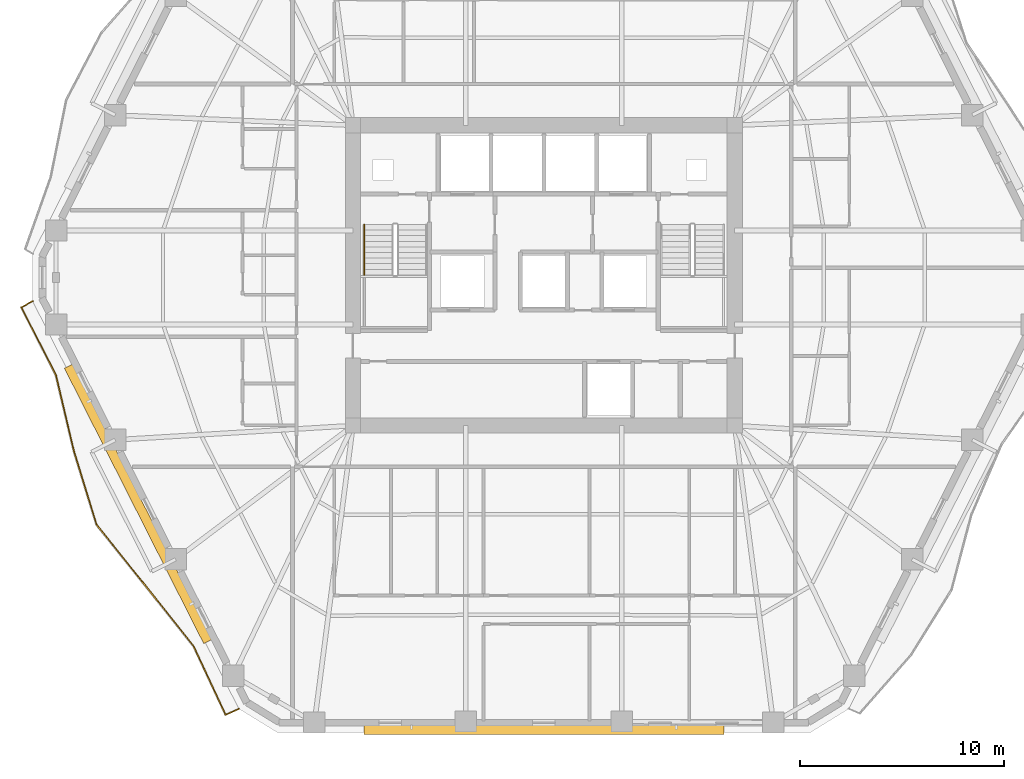
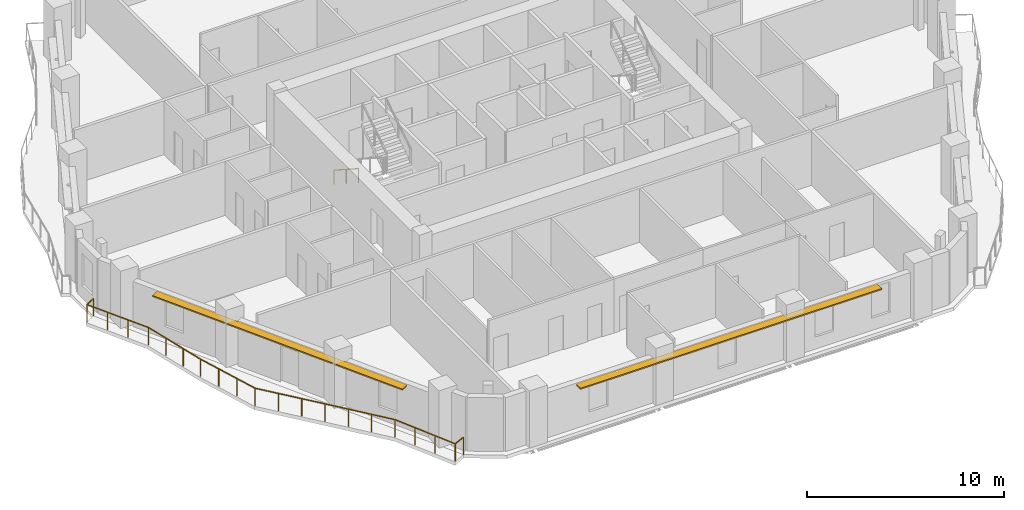
# One storey, part 10 of 12: 2 railings, 2 shading devices.
"""IFC4 building model written with IfcOpenShell, lengths in metres."""

from ifc_helpers import new_model, si_unit, direction, frame, origin, origin_2d, place, context, subcontext, project, spatial, rectangle, extrude, material, layer, layer_set, type_object, element, save


model = new_model("IFC4")

# Units and contexts
model_context = context("Model", 3, precision=1e-05, world=origin(), true_north=direction((0.0, 1.0)))
body_context = subcontext(model_context, "Body", "Model", "MODEL_VIEW")
ifc_project = project(units=[si_unit("LENGTHUNIT", "METRE"), si_unit("AREAUNIT", "SQUARE_METRE"), si_unit("VOLUMEUNIT", "CUBIC_METRE"), si_unit("PLANEANGLEUNIT", "RADIAN"), si_unit("MASSUNIT", "GRAM", prefix="KILO")], contexts=[model_context])

# Site, building, storey
site_placement = place(None, origin())
site = spatial("IfcSite", under=ifc_project, at=site_placement, CompositionType="ELEMENT")
building_placement = place(site_placement, origin())
building = spatial("IfcBuilding", under=site, at=building_placement, Name="Cinnabar Lancet Tower", CompositionType="ELEMENT")
storey_placement = place(building_placement, frame((0.0, 0.0, 123.25)))
storey = spatial("IfcBuildingStorey", under=building, at=storey_placement, Name="L32", CompositionType="ELEMENT", Elevation=123.25)

# Railing
ifc_material_1 = material(Name="Laminated safety glass and bronze stainless steel balustrade", Category="steel")
railing_type_1 = type_object("IfcRailingType", Name="ENV-RLG-BAL-1100", PredefinedType="BALUSTRADE", material=ifc_material_1)
railing_1_placement = place(storey_placement, frame((7.287109375, 24.639892578125, 0.0)))
element("IfcRailing", 1, at=railing_1_placement, inside=storey, type_object=railing_type_1, Name="L32 Face 6 Wave Balcony Balustrade", PredefinedType="BALUSTRADE", context=body_context, shape_type="SweptSolid", body=[
    extrude(rectangle(XDim=0.048095703125, YDim=0.048095703125, at=origin_2d()), frame((0.0, 0.0, 1.076171875), z_axis=(-0.871212564421, -0.490905966144, 0.0), x_axis=(0.490905966144, -0.871212564421, 0.0)), (0.0, 0.0, 1.0), 0.629150390625),
    extrude(rectangle(XDim=0.048095703125, YDim=0.048095703125, at=origin_2d()), frame((-0.548095703125, -0.308837890625, 1.076171875), z_axis=(0.453978704342, -0.891012534145, 0.0), x_axis=(0.891012534145, 0.453978704342, 0.0)), (0.0, 0.0, 1.0), 3.731689453125),
    extrude(rectangle(XDim=0.048095703125, YDim=0.048095703125, at=origin_2d()), frame((1.14599609375, -3.6337890625, 1.076171875), z_axis=(0.230315771584, -0.973115946514, 0.0), x_axis=(0.973115946514, 0.230315771584, 0.0)), (0.0, 0.0, 1.0), 3.83740234375),
    extrude(rectangle(XDim=0.048095703125, YDim=0.048095703125, at=origin_2d()), frame((2.02978515625, -7.367919921875, 1.076171875), z_axis=(0.294353286988, -0.955696679098, 0.0), x_axis=(0.955696679098, 0.294353286988, 0.0)), (0.0, 0.0, 1.0), 3.78466796875),
    extrude(rectangle(XDim=0.048095703125, YDim=0.048095703125, at=origin_2d()), frame((3.143798828125, -10.98486328125, 1.076171875), z_axis=(0.62545242318, -0.780262306111, 0.0), x_axis=(0.780262306111, 0.62545242318, 0.0)), (0.0, 0.0, 1.0), 3.811767578125),
    extrude(rectangle(XDim=0.048095703125, YDim=0.048095703125, at=origin_2d()), frame((5.52783203125, -13.958984375, 1.076171875), z_axis=(0.623256358846, -0.782017590057, 0.0), x_axis=(0.782017590057, 0.623256358846, 0.0)), (0.0, 0.0, 1.0), 3.810546875),
    extrude(rectangle(XDim=0.048095703125, YDim=0.048095703125, at=origin_2d()), frame((7.90283203125, -16.93896484375, 1.076171875), z_axis=(0.423289766363, -0.905994356325, 0.0), x_axis=(0.905994356325, 0.423289766363, 0.0)), (0.0, 0.0, 1.0), 3.735107421875),
    extrude(rectangle(XDim=0.048095703125, YDim=0.048095703125, at=origin_2d()), frame((9.48388671875, -20.322998046875, 1.076171875), z_axis=(0.911523841461, 0.411247232755, 0.0), x_axis=(-0.411247232755, 0.911523841461, 0.0)), (0.0, 0.0, 1.0), 0.712890625),
    extrude(rectangle(XDim=0.0419921875, YDim=0.0419921875, at=origin_2d()), origin(), (0.0, 0.0, 1.0), 1.052001953125),
    extrude(rectangle(XDim=0.0419921875, YDim=0.0419921875, at=origin_2d()), frame((-0.548095703125, -0.308837890625, 0.0)), (0.0, 0.0, 1.0), 1.052001953125),
    extrude(rectangle(XDim=0.0419921875, YDim=0.0419921875, at=origin_2d()), frame((0.0166015625, -1.417236328125, 0.0)), (0.0, 0.0, 1.0), 1.052001953125),
    extrude(rectangle(XDim=0.0419921875, YDim=0.0419921875, at=origin_2d()), frame((0.581298828125, -2.525390625, 0.0)), (0.0, 0.0, 1.0), 1.052001953125),
    extrude(rectangle(XDim=0.0419921875, YDim=0.0419921875, at=origin_2d()), frame((1.14599609375, -3.6337890625, 0.0)), (0.0, 0.0, 1.0), 1.052001953125),
    extrude(rectangle(XDim=0.0419921875, YDim=0.0419921875, at=origin_2d()), frame((1.440673828125, -4.87841796875, 0.0)), (0.0, 0.0, 1.0), 1.052001953125),
    extrude(rectangle(XDim=0.0419921875, YDim=0.0419921875, at=origin_2d()), frame((1.735107421875, -6.123291015625, 0.0)), (0.0, 0.0, 1.0), 1.052001953125),
    extrude(rectangle(XDim=0.0419921875, YDim=0.0419921875, at=origin_2d()), frame((2.02978515625, -7.367919921875, 0.0)), (0.0, 0.0, 1.0), 1.052001953125),
    extrude(rectangle(XDim=0.0419921875, YDim=0.0419921875, at=origin_2d()), frame((2.401123046875, -8.573486328125, 0.0)), (0.0, 0.0, 1.0), 1.052001953125),
    extrude(rectangle(XDim=0.0419921875, YDim=0.0419921875, at=origin_2d()), frame((2.7724609375, -9.779296875, 0.0)), (0.0, 0.0, 1.0), 1.052001953125),
    extrude(rectangle(XDim=0.0419921875, YDim=0.0419921875, at=origin_2d()), frame((3.143798828125, -10.98486328125, 0.0)), (0.0, 0.0, 1.0), 1.052001953125),
    extrude(rectangle(XDim=0.0419921875, YDim=0.0419921875, at=origin_2d()), frame((3.9384765625, -11.976318359375, 0.0)), (0.0, 0.0, 1.0), 1.052001953125),
    extrude(rectangle(XDim=0.0419921875, YDim=0.0419921875, at=origin_2d()), frame((4.733154296875, -12.967529296875, 0.0)), (0.0, 0.0, 1.0), 1.052001953125),
    extrude(rectangle(XDim=0.0419921875, YDim=0.0419921875, at=origin_2d()), frame((5.52783203125, -13.958984375, 0.0)), (0.0, 0.0, 1.0), 1.052001953125),
    extrude(rectangle(XDim=0.0419921875, YDim=0.0419921875, at=origin_2d()), frame((6.319580078125, -14.952392578125, 0.0)), (0.0, 0.0, 1.0), 1.052001953125),
    extrude(rectangle(XDim=0.0419921875, YDim=0.0419921875, at=origin_2d()), frame((7.111083984375, -15.945556640625, 0.0)), (0.0, 0.0, 1.0), 1.052001953125),
    extrude(rectangle(XDim=0.0419921875, YDim=0.0419921875, at=origin_2d()), frame((7.90283203125, -16.93896484375, 0.0)), (0.0, 0.0, 1.0), 1.052001953125),
    extrude(rectangle(XDim=0.0419921875, YDim=0.0419921875, at=origin_2d()), frame((8.429931640625, -18.06689453125, 0.0)), (0.0, 0.0, 1.0), 1.052001953125),
    extrude(rectangle(XDim=0.0419921875, YDim=0.0419921875, at=origin_2d()), frame((8.956787109375, -19.195068359375, 0.0)), (0.0, 0.0, 1.0), 1.052001953125),
    extrude(rectangle(XDim=0.0419921875, YDim=0.0419921875, at=origin_2d()), frame((9.48388671875, -20.322998046875, 0.0)), (0.0, 0.0, 1.0), 1.052001953125),
    extrude(rectangle(XDim=0.0419921875, YDim=0.0419921875, at=origin_2d()), frame((10.1337890625, -20.02978515625, 0.0)), (0.0, 0.0, 1.0), 1.052001953125),
])

# Shading devices
ifc_material_2 = material(Name="Pale limestone architectural aluminium sunshade", Category="masonry")
ifc_layer = layer(ifc_material_2, 0.080078125)
ifc_layer_set = layer_set([ifc_layer], Name="Pale limestone architectural aluminium sunshade")
shading_device_type = type_object("IfcShadingDeviceType", Name="ENV-SHD-LVR-450", PredefinedType="JALOUSIE", material=ifc_layer_set)
shading_device_1_placement = place(storey_placement, frame((32.39990234375, 3.580078125, 2.639892578125), z_axis=(0.0, 0.0, 1.0), x_axis=(1.0, 0.0, 0.0)))
element("IfcShadingDevice", 2, at=shading_device_1_placement, inside=storey, type_object=shading_device_type, Name="L32 Face 1 Horizontal Sunshade Canopy", PredefinedType="JALOUSIE", context=body_context, shape_type="SweptSolid", body=[
    extrude(rectangle(XDim=17.68310546875, YDim=0.449951171875, at=origin_2d()), origin(), (0.0, 0.0, 1.0), 0.080078125),
])
shading_device_2_placement = place(storey_placement, frame((12.471923828125, 14.680908203125, 2.639892578125), z_axis=(0.0, 0.0, 1.0), x_axis=(0.451453853408, -0.892294468347, 0.0)))
element("IfcShadingDevice", 3, at=shading_device_2_placement, inside=storey, type_object=shading_device_type, Name="L32 Face 6 Horizontal Sunshade Canopy", PredefinedType="JALOUSIE", context=body_context, shape_type="SweptSolid", body=[
    extrude(rectangle(XDim=15.156982421875, YDim=0.449951171875, at=origin_2d()), origin(), (0.0, 0.0, 1.0), 0.080078125),
])

# Railing
ifc_material_3 = material(Name="Brushed stainless steel handrail", Category="steel")
railing_type_2 = type_object("IfcRailingType", Name="HANDRAIL-STAIR", PredefinedType="HANDRAIL", material=ifc_material_3)
railing_2_placement = place(storey_placement, frame((23.574951171875, 28.39990234375, 0.177490234375)))
element("IfcRailing", 4, at=railing_2_placement, inside=storey, type_object=railing_type_2, Name="L32 ST-1 stair handrail 1", PredefinedType="HANDRAIL", context=body_context, shape_type="SweptSolid", body=[
    extrude(rectangle(XDim=0.048095703125, YDim=0.048095703125, at=origin_2d()), frame((0.0, 0.0, 0.8759765625), z_axis=(0.0, -0.840183358697, 0.542302428327), x_axis=(1.0, 0.0, 0.0)), (0.0, 0.0, 1.0), 2.945556640625),
    extrude(rectangle(XDim=0.0419921875, YDim=0.0419921875, at=origin_2d()), origin(), (0.0, 0.0, 1.0), 0.851806640625),
    extrude(rectangle(XDim=0.0419921875, YDim=0.0419921875, at=origin_2d()), frame((0.0, -1.2373046875, 0.798828125)), (0.0, 0.0, 1.0), 0.851806640625),
    extrude(rectangle(XDim=0.0419921875, YDim=0.0419921875, at=origin_2d()), frame((0.0, -2.474853515625, 1.597412109375)), (0.0, 0.0, 1.0), 0.851806640625),
])

save(model, "model.ifc")
